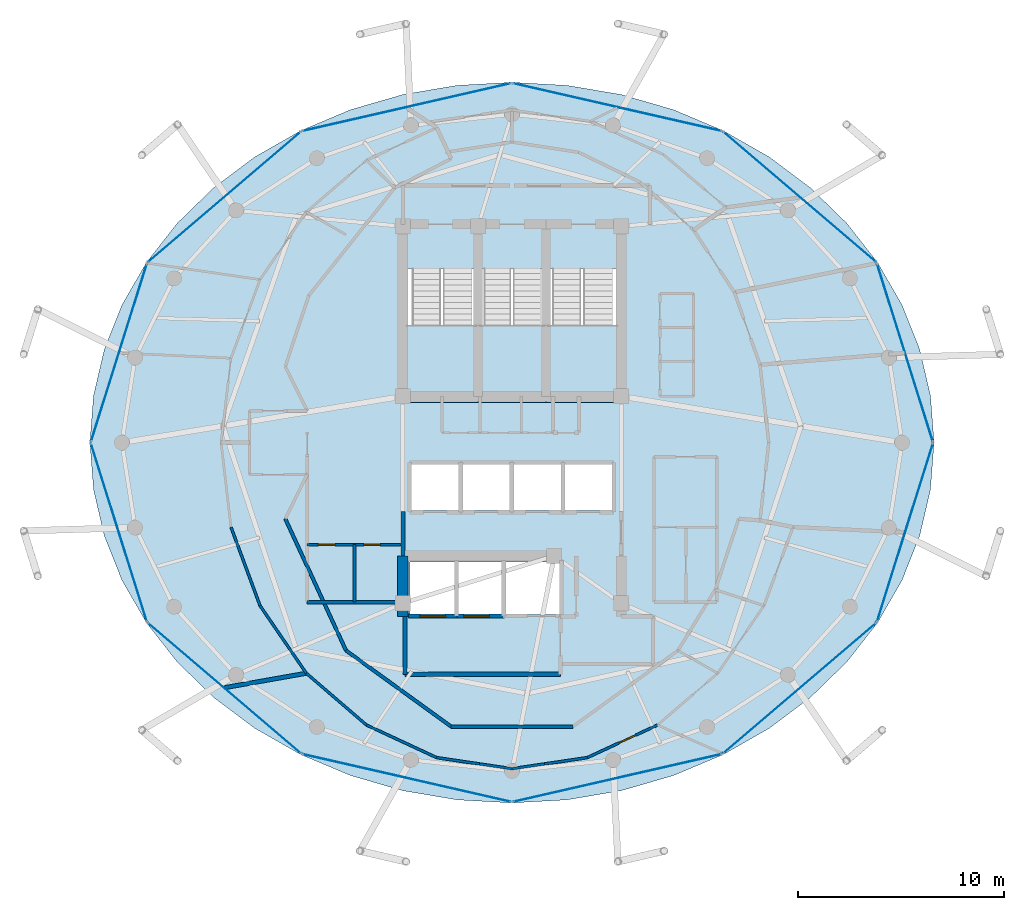
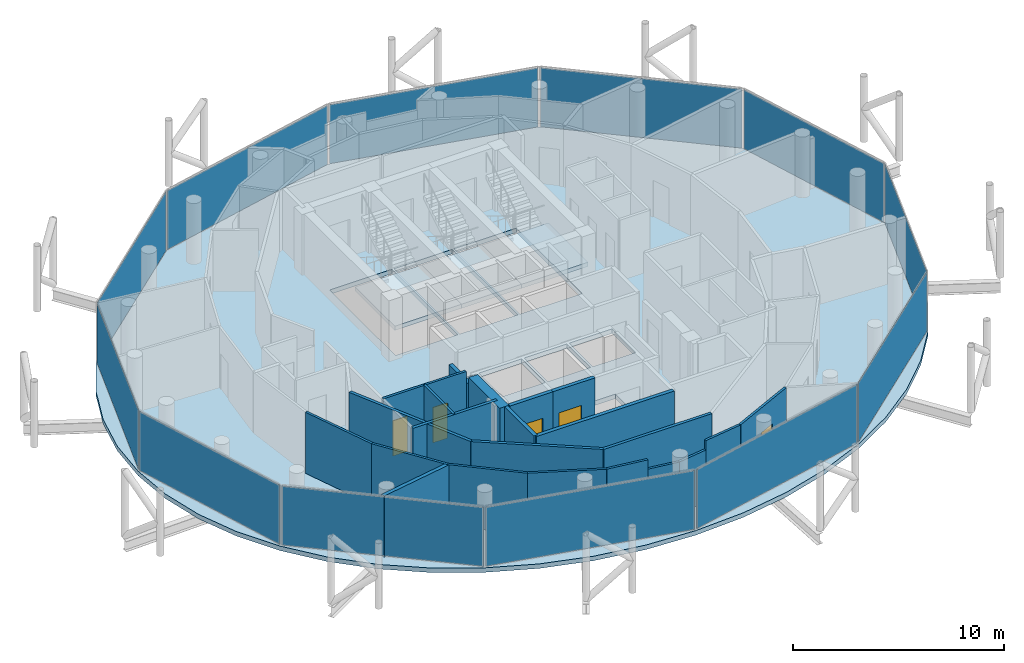
# One storey, part 19 of 24: 22 walls, 12 plates, 5 doors, 4 slabs, 5 openings, 15 elements without a shape of their own.
"""IFC4 building model written with IfcOpenShell, lengths in metres."""

from ifc_helpers import new_model, si_unit, direction, frame, frame_2d, origin, origin_2d, place, context, subcontext, project, spatial, polyline, rectangle, outline, extrude, material, layer, layer_set, type_object, element, fill, aggregate, save


model = new_model("IFC4")

# Units and contexts
model_context = context("Model", 3, precision=1e-05, world=origin(), true_north=direction((0.0, 1.0)))
body_context = subcontext(model_context, "Body", "Model", "MODEL_VIEW")
ifc_project = project(units=[si_unit("LENGTHUNIT", "METRE"), si_unit("AREAUNIT", "SQUARE_METRE"), si_unit("VOLUMEUNIT", "CUBIC_METRE"), si_unit("PLANEANGLEUNIT", "RADIAN"), si_unit("MASSUNIT", "GRAM", prefix="KILO")], contexts=[model_context])

# Site, building, storey
site_placement = place(None, origin())
site = spatial("IfcSite", under=ifc_project, at=site_placement, CompositionType="ELEMENT")
building_placement = place(site_placement, origin())
building = spatial("IfcBuilding", under=site, at=building_placement, Name="Nuhasar Tower", CompositionType="ELEMENT")
storey_placement = place(building_placement, frame((0.0, 0.0, 263.199951171875)))
storey = spatial("IfcBuildingStorey", under=building, at=storey_placement, Name="L65", CompositionType="ELEMENT", Elevation=263.199951171875)

# Curtain wall, plate
ifc_material_1 = material(Name="Aluminium 6063-T6", Category="aluminium")
ifc_layer_1 = layer(ifc_material_1, 0.18994140625)
ifc_layer_set_1 = layer_set([ifc_layer_1], Name="Aluminium 6063-T6")
curtain_wall_type = type_object("IfcCurtainWallType", Name="CW-Z4-PEN", PredefinedType="NOTDEFINED", material=ifc_layer_set_1)
curtain_wall_1_placement = place(storey_placement, origin())
curtain_wall_1 = element("IfcCurtainWall", 1, at=curtain_wall_1_placement, inside=storey, type_object=curtain_wall_type, Name="L65 Unitised Curtain Wall 01", PredefinedType="NOTDEFINED")
ifc_material_2 = material(Name="Glass Double Low-E", Category="glass")
ifc_layer_2 = layer(ifc_material_2, 0.028076171875)
ifc_layer_set_2 = layer_set([ifc_layer_2], Name="Glass Double Low-E")
plate_type = type_object("IfcPlateType", Name="CW-PANEL-GLZ", PredefinedType="CURTAIN_PANEL", material=ifc_layer_set_2)
plate_1_placement = place(storey_placement, frame((58.089599609375, 31.1650390625, 0.06005859375), z_axis=(0.0, 0.0, 1.0), x_axis=(-0.299556614146, 0.954078526601, 0.0)))
plate_1 = element("IfcPlate", 2, at=plate_1_placement, type_object=plate_type, Name="CW-Z4 panel 1.1", PredefinedType="CURTAIN_PANEL", context=body_context, shape_type="SweptSolid", body=[
    extrude(rectangle(XDim=9.0302734375, YDim=0.028076171875, at=origin_2d()), origin(), (0.0, 0.0, 1.0), 3.419921875),
])
aggregate(curtain_wall_1, [plate_1])

curtain_wall_2_placement = place(storey_placement, origin())
curtain_wall_2 = element("IfcCurtainWall", 3, at=curtain_wall_2_placement, inside=storey, type_object=curtain_wall_type, Name="L65 Unitised Curtain Wall 02", PredefinedType="NOTDEFINED")
plate_2_placement = place(storey_placement, frame((52.974609375, 38.7255859375, 0.06005859375), z_axis=(0.0, 0.0, 1.0), x_axis=(-0.760667252327, 0.649141996205, 0.0)))
plate_2 = element("IfcPlate", 4, at=plate_2_placement, type_object=plate_type, Name="CW-Z4 panel 1.1", PredefinedType="CURTAIN_PANEL", context=body_context, shape_type="SweptSolid", body=[
    extrude(rectangle(XDim=9.725341796875, YDim=0.028076171875, at=origin_2d()), origin(), (0.0, 0.0, 1.0), 3.419921875),
])
aggregate(curtain_wall_2, [plate_2])

curtain_wall_3_placement = place(storey_placement, origin())
curtain_wall_3 = element("IfcCurtainWall", 5, at=curtain_wall_3_placement, inside=storey, type_object=curtain_wall_type, Name="L65 Unitised Curtain Wall 03", PredefinedType="NOTDEFINED")
plate_3_placement = place(storey_placement, frame((44.114990234375, 43.090576171875, 0.06005859375), z_axis=(0.0, 0.0, 1.0), x_axis=(-0.97484371891, 0.222889487645, 0.0)))
plate_3 = element("IfcPlate", 6, at=plate_3_placement, type_object=plate_type, Name="CW-Z4 panel 1.1", PredefinedType="CURTAIN_PANEL", context=body_context, shape_type="SweptSolid", body=[
    extrude(rectangle(XDim=10.3740234375, YDim=0.028076171875, at=origin_2d()), origin(), (0.0, 0.0, 1.0), 3.419921875),
])
aggregate(curtain_wall_3, [plate_3])

curtain_wall_4_placement = place(storey_placement, origin())
curtain_wall_4 = element("IfcCurtainWall", 7, at=curtain_wall_4_placement, inside=storey, type_object=curtain_wall_type, Name="L65 Unitised Curtain Wall 04", PredefinedType="NOTDEFINED")
plate_4_placement = place(storey_placement, frame((33.885009765625, 43.090576171875, 0.06005859375), z_axis=(0.0, 0.0, 1.0), x_axis=(-0.97484371891, -0.222889487645, 0.0)))
plate_4 = element("IfcPlate", 8, at=plate_4_placement, type_object=plate_type, Name="CW-Z4 panel 1.1", PredefinedType="CURTAIN_PANEL", context=body_context, shape_type="SweptSolid", body=[
    extrude(rectangle(XDim=10.3740234375, YDim=0.028076171875, at=origin_2d()), origin(), (0.0, 0.0, 1.0), 3.419921875),
])
aggregate(curtain_wall_4, [plate_4])

curtain_wall_5_placement = place(storey_placement, origin())
curtain_wall_5 = element("IfcCurtainWall", 9, at=curtain_wall_5_placement, inside=storey, type_object=curtain_wall_type, Name="L65 Unitised Curtain Wall 05", PredefinedType="NOTDEFINED")
plate_5_placement = place(storey_placement, frame((25.025390625, 38.7255859375, 0.06005859375), z_axis=(0.0, 0.0, 1.0), x_axis=(-0.760667252327, -0.649141996205, 0.0)))
plate_5 = element("IfcPlate", 10, at=plate_5_placement, type_object=plate_type, Name="CW-Z4 panel 1.1", PredefinedType="CURTAIN_PANEL", context=body_context, shape_type="SweptSolid", body=[
    extrude(rectangle(XDim=9.725341796875, YDim=0.028076171875, at=origin_2d()), origin(), (0.0, 0.0, 1.0), 3.419921875),
])
aggregate(curtain_wall_5, [plate_5])

curtain_wall_6_placement = place(storey_placement, origin())
curtain_wall_6 = element("IfcCurtainWall", 11, at=curtain_wall_6_placement, inside=storey, type_object=curtain_wall_type, Name="L65 Unitised Curtain Wall 06", PredefinedType="NOTDEFINED")
plate_6_placement = place(storey_placement, frame((19.910400390625, 31.1650390625, 0.06005859375), z_axis=(0.0, 0.0, 1.0), x_axis=(-0.299556614146, -0.954078526601, 0.0)))
plate_6 = element("IfcPlate", 12, at=plate_6_placement, type_object=plate_type, Name="CW-Z4 panel 1.1", PredefinedType="CURTAIN_PANEL", context=body_context, shape_type="SweptSolid", body=[
    extrude(rectangle(XDim=9.0302734375, YDim=0.028076171875, at=origin_2d()), origin(), (0.0, 0.0, 1.0), 3.419921875),
])
aggregate(curtain_wall_6, [plate_6])

curtain_wall_7_placement = place(storey_placement, origin())
curtain_wall_7 = element("IfcCurtainWall", 13, at=curtain_wall_7_placement, inside=storey, type_object=curtain_wall_type, Name="L65 Unitised Curtain Wall 07", PredefinedType="NOTDEFINED")
plate_7_placement = place(storey_placement, frame((19.910400390625, 22.43505859375, 0.06005859375), z_axis=(0.0, 0.0, 1.0), x_axis=(0.299556614146, -0.954078526601, 0.0)))
plate_7 = element("IfcPlate", 14, at=plate_7_placement, type_object=plate_type, Name="CW-Z4 panel 1.1", PredefinedType="CURTAIN_PANEL", context=body_context, shape_type="SweptSolid", body=[
    extrude(rectangle(XDim=9.0302734375, YDim=0.028076171875, at=origin_2d()), origin(), (0.0, 0.0, 1.0), 3.419921875),
])
aggregate(curtain_wall_7, [plate_7])

curtain_wall_8_placement = place(storey_placement, origin())
curtain_wall_8 = element("IfcCurtainWall", 15, at=curtain_wall_8_placement, inside=storey, type_object=curtain_wall_type, Name="L65 Unitised Curtain Wall 08", PredefinedType="NOTDEFINED")
plate_8_placement = place(storey_placement, frame((25.025390625, 14.87451171875, 0.06005859375), z_axis=(0.0, 0.0, 1.0), x_axis=(0.760667252327, -0.649141996205, 0.0)))
plate_8 = element("IfcPlate", 16, at=plate_8_placement, type_object=plate_type, Name="CW-Z4 panel 1.1", PredefinedType="CURTAIN_PANEL", context=body_context, shape_type="SweptSolid", body=[
    extrude(rectangle(XDim=9.725341796875, YDim=0.028076171875, at=origin_2d()), origin(), (0.0, 0.0, 1.0), 3.419921875),
])
aggregate(curtain_wall_8, [plate_8])

curtain_wall_9_placement = place(storey_placement, origin())
curtain_wall_9 = element("IfcCurtainWall", 17, at=curtain_wall_9_placement, inside=storey, type_object=curtain_wall_type, Name="L65 Unitised Curtain Wall 09", PredefinedType="NOTDEFINED")
plate_9_placement = place(storey_placement, frame((33.885009765625, 10.509521484375, 0.06005859375), z_axis=(0.0, 0.0, 1.0), x_axis=(0.97484371891, -0.222889487645, 0.0)))
plate_9 = element("IfcPlate", 18, at=plate_9_placement, type_object=plate_type, Name="CW-Z4 panel 1.1", PredefinedType="CURTAIN_PANEL", context=body_context, shape_type="SweptSolid", body=[
    extrude(rectangle(XDim=10.3740234375, YDim=0.028076171875, at=origin_2d()), origin(), (0.0, 0.0, 1.0), 3.419921875),
])
aggregate(curtain_wall_9, [plate_9])

curtain_wall_10_placement = place(storey_placement, origin())
curtain_wall_10 = element("IfcCurtainWall", 19, at=curtain_wall_10_placement, inside=storey, type_object=curtain_wall_type, Name="L65 Unitised Curtain Wall 10", PredefinedType="NOTDEFINED")
plate_10_placement = place(storey_placement, frame((44.114990234375, 10.509521484375, 0.06005859375), z_axis=(0.0, 0.0, 1.0), x_axis=(0.97484371891, 0.222889487645, 0.0)))
plate_10 = element("IfcPlate", 20, at=plate_10_placement, type_object=plate_type, Name="CW-Z4 panel 1.1", PredefinedType="CURTAIN_PANEL", context=body_context, shape_type="SweptSolid", body=[
    extrude(rectangle(XDim=10.3740234375, YDim=0.028076171875, at=origin_2d()), origin(), (0.0, 0.0, 1.0), 3.419921875),
])
aggregate(curtain_wall_10, [plate_10])

curtain_wall_11_placement = place(storey_placement, origin())
curtain_wall_11 = element("IfcCurtainWall", 21, at=curtain_wall_11_placement, inside=storey, type_object=curtain_wall_type, Name="L65 Unitised Curtain Wall 11", PredefinedType="NOTDEFINED")
plate_11_placement = place(storey_placement, frame((52.974609375, 14.87451171875, 0.06005859375), z_axis=(0.0, 0.0, 1.0), x_axis=(0.760667252327, 0.649141996205, 0.0)))
plate_11 = element("IfcPlate", 22, at=plate_11_placement, type_object=plate_type, Name="CW-Z4 panel 1.1", PredefinedType="CURTAIN_PANEL", context=body_context, shape_type="SweptSolid", body=[
    extrude(rectangle(XDim=9.725341796875, YDim=0.028076171875, at=origin_2d()), origin(), (0.0, 0.0, 1.0), 3.419921875),
])
aggregate(curtain_wall_11, [plate_11])

curtain_wall_12_placement = place(storey_placement, origin())
curtain_wall_12 = element("IfcCurtainWall", 23, at=curtain_wall_12_placement, inside=storey, type_object=curtain_wall_type, Name="L65 Unitised Curtain Wall 12", PredefinedType="NOTDEFINED")
plate_12_placement = place(storey_placement, frame((58.089599609375, 22.43505859375, 0.06005859375), z_axis=(0.0, 0.0, 1.0), x_axis=(0.299556614146, 0.954078526601, 0.0)))
plate_12 = element("IfcPlate", 24, at=plate_12_placement, type_object=plate_type, Name="CW-Z4 panel 1.1", PredefinedType="CURTAIN_PANEL", context=body_context, shape_type="SweptSolid", body=[
    extrude(rectangle(XDim=9.0302734375, YDim=0.028076171875, at=origin_2d()), origin(), (0.0, 0.0, 1.0), 3.419921875),
])
aggregate(curtain_wall_12, [plate_12])

# Stair, slab
ifc_material_3 = material(Name="Concrete C45/55", Category="concrete")
stair_type_1 = type_object("IfcStairType", Name="STR-ST-01-2F-22R-1727", PredefinedType="HALF_TURN_STAIR", material=ifc_material_3)
stair_1_placement = place(storey_placement, origin())
stair_1 = element("IfcStair", 25, at=stair_1_placement, inside=storey, type_object=stair_type_1, Name="L65 Exit Stair ST-01", PredefinedType="HALF_TURN_STAIR")
ifc_layer_3 = layer(ifc_material_3, 0.239990234375)
ifc_layer_set_3 = layer_set([ifc_layer_3], Name="Concrete C45/55")
slab_type_1 = type_object("IfcSlabType", Name="SLB-STAIR-LND-240", PredefinedType="LANDING", material=ifc_layer_set_3)
slab_1_placement = place(storey_placement, frame((0.0, 0.0, 1.66015625)))
slab_1 = element("IfcSlab", 26, at=slab_1_placement, type_object=slab_type_1, Name="ST-01 landing 1", PredefinedType="LANDING", context=body_context, shape_type="SweptSolid", body=[
    extrude(outline(polyline([(33.699951171875, 28.75), (37.35009765625, 28.75), (37.35009765625, 32.52001953125), (33.699951171875, 32.52001953125), (33.699951171875, 28.75)])), origin(), (0.0, 0.0, 1.0), 0.239990234375),
])
aggregate(stair_1, [slab_1])

stair_type_2 = type_object("IfcStairType", Name="STR-ST-03-2F-22R-1727", PredefinedType="HALF_TURN_STAIR", material=ifc_material_3)
stair_2_placement = place(storey_placement, origin())
stair_2 = element("IfcStair", 27, at=stair_2_placement, inside=storey, type_object=stair_type_2, Name="L65 Exit Stair ST-03", PredefinedType="HALF_TURN_STAIR")
slab_2_placement = place(storey_placement, frame((0.0, 0.0, 1.66015625)))
slab_2 = element("IfcSlab", 28, at=slab_2_placement, type_object=slab_type_1, Name="ST-03 landing 1", PredefinedType="LANDING", context=body_context, shape_type="SweptSolid", body=[
    extrude(outline(polyline([(37.35009765625, 28.75), (40.64990234375, 28.75), (40.64990234375, 32.52001953125), (37.35009765625, 32.52001953125), (37.35009765625, 28.75)])), origin(), (0.0, 0.0, 1.0), 0.239990234375),
])
aggregate(stair_2, [slab_2])

stair_type_3 = type_object("IfcStairType", Name="STR-ST-02-2F-22R-1727", PredefinedType="HALF_TURN_STAIR", material=ifc_material_3)
stair_3_placement = place(storey_placement, origin())
stair_3 = element("IfcStair", 29, at=stair_3_placement, inside=storey, type_object=stair_type_3, Name="L65 Exit Stair ST-02", PredefinedType="HALF_TURN_STAIR")
slab_3_placement = place(storey_placement, frame((0.0, 0.0, 1.66015625)))
slab_3 = element("IfcSlab", 30, at=slab_3_placement, type_object=slab_type_1, Name="ST-02 landing 1", PredefinedType="LANDING", context=body_context, shape_type="SweptSolid", body=[
    extrude(outline(polyline([(40.64990234375, 28.75), (44.300048828125, 28.75), (44.300048828125, 32.52001953125), (40.64990234375, 32.52001953125), (40.64990234375, 28.75)])), origin(), (0.0, 0.0, 1.0), 0.239990234375),
])
aggregate(stair_3, [slab_3])

# Slab
ifc_material_4 = material(Name="Concrete C50/60", Category="concrete")
ifc_layer_4 = layer(ifc_material_4, 0.260009765625)
ifc_layer_set_4 = layer_set([ifc_layer_4], Name="Concrete C50/60")
slab_type_2 = type_object("IfcSlabType", Name="SLB-Z1A-260", PredefinedType="FLOOR", material=ifc_layer_set_4)
slab_4_placement = place(storey_placement, frame((0.0, 0.0, -0.260009765625)))
element("IfcSlab", 31, at=slab_4_placement, inside=storey, type_object=slab_type_2, Name="L65 Structural Slab", PredefinedType="FLOOR", context=body_context, shape_type="SweptSolid", body=[
    extrude(outline(polyline([(59.5, 26.800048828125), (59.324951171875, 29.083984375), (58.801025390625, 31.3291015625), (57.93994140625, 33.4970703125), (56.75390625, 35.550048828125), (55.263916015625, 37.452880859375), (53.49609375, 39.174072265625), (51.47998046875, 40.68408203125), (49.25, 41.955078125), (46.844970703125, 42.968017578125), (44.305908203125, 43.7041015625), (41.676025390625, 44.14990234375), (39.0, 44.300048828125), (36.323974609375, 44.14990234375), (33.694091796875, 43.7041015625), (31.155029296875, 42.968017578125), (28.75, 41.955078125), (26.52001953125, 40.68408203125), (24.50390625, 39.174072265625), (22.736083984375, 37.452880859375), (21.24609375, 35.550048828125), (20.06005859375, 33.4970703125), (19.198974609375, 31.3291015625), (18.675048828125, 29.083984375), (18.5, 26.800048828125), (18.675048828125, 24.51611328125), (19.198974609375, 22.27099609375), (20.06005859375, 20.10302734375), (21.24609375, 18.050048828125), (22.736083984375, 16.14697265625), (24.50390625, 14.426025390625), (26.52001953125, 12.916015625), (28.75, 11.64501953125), (31.155029296875, 10.632080078125), (33.694091796875, 9.89599609375), (36.323974609375, 9.449951171875), (39.0, 9.300048828125), (41.676025390625, 9.449951171875), (44.305908203125, 9.89599609375), (46.844970703125, 10.632080078125), (49.25, 11.64501953125), (51.47998046875, 12.916015625), (53.49609375, 14.426025390625), (55.263916015625, 16.14697265625), (56.75390625, 18.050048828125), (57.93994140625, 20.10302734375), (58.801025390625, 22.27099609375), (59.324951171875, 24.51611328125), (59.5, 26.800048828125)]), holes=[polyline([(33.8798828125, 35.25), (37.300048828125, 35.25), (37.300048828125, 29.0), (33.8798828125, 29.0), (33.8798828125, 35.25)]), polyline([(37.39990234375, 35.25), (40.60009765625, 35.25), (40.60009765625, 29.0), (37.39990234375, 29.0), (37.39990234375, 35.25)]), polyline([(40.699951171875, 35.25), (44.1201171875, 35.25), (44.1201171875, 29.0), (40.699951171875, 29.0), (40.699951171875, 35.25)]), polyline([(34.10009765625, 25.75), (36.43994140625, 25.75), (36.43994140625, 23.5), (34.10009765625, 23.5), (34.10009765625, 25.75)]), polyline([(36.580078125, 25.75), (38.919921875, 25.75), (38.919921875, 23.5), (36.580078125, 23.5), (36.580078125, 25.75)]), polyline([(39.06005859375, 25.75), (41.39990234375, 25.75), (41.39990234375, 23.5), (39.06005859375, 23.5), (39.06005859375, 25.75)]), polyline([(41.5400390625, 25.75), (43.8798828125, 25.75), (43.8798828125, 23.5), (41.5400390625, 23.5), (41.5400390625, 25.75)]), polyline([(34.050048828125, 21.0), (36.25, 21.0), (36.25, 18.449951171875), (34.050048828125, 18.449951171875), (34.050048828125, 21.0)]), polyline([(36.35009765625, 21.0), (38.550048828125, 21.0), (38.550048828125, 18.449951171875), (36.35009765625, 18.449951171875), (36.35009765625, 21.0)]), polyline([(38.64990234375, 21.0), (41.320068359375, 21.0), (41.320068359375, 18.449951171875), (38.64990234375, 18.449951171875), (38.64990234375, 21.0)])]), origin(), (0.0, 0.0, 1.0), 0.260009765625),
])

# Walls
ifc_layer_5 = layer(ifc_material_4, 0.5)
ifc_layer_set_5 = layer_set([ifc_layer_5], Name="Concrete C50/60")
wall_type_1 = type_object("IfcWallType", Name="WL-CORE-500", PredefinedType="SHEAR", material=ifc_layer_set_5)
wall_1_placement = place(storey_placement, frame((33.699951171875, 18.35009765625, 0.0), z_axis=(0.0, 0.0, 1.0), x_axis=(0.0, 1.0, 0.0)))
element("IfcWall", 32, at=wall_1_placement, inside=storey, type_object=wall_type_1, Name="L65 Core Shear Wall CW-SW CW-500", PredefinedType="SHEAR", context=body_context, shape_type="SweptSolid", body=[
    extrude(rectangle(XDim=2.949951171875, YDim=0.5, at=frame_2d((1.47509765625, 0.0))), origin(), (0.0, 0.0, 1.0), 3.5400390625),
])
ifc_material_5 = material(Name="Gypsum Board", Category="gypsum")
ifc_layer_6 = layer(ifc_material_5, 0.159912109375)
ifc_layer_set_6 = layer_set([ifc_layer_6], Name="Gypsum Board")
wall_type_2 = type_object("IfcWallType", Name="WL-CORR-160", PredefinedType="PARTITIONING", material=ifc_layer_set_6)
wall_2_placement = place(storey_placement, frame((29.050048828125, 19.050048828125, 0.0), z_axis=(0.0, 0.0, 1.0), x_axis=(1.0, 0.0, 0.0)))
element("IfcWall", 33, at=wall_2_placement, inside=storey, type_object=wall_type_2, Name="L65 Interior Partition RECL-B1-S", PredefinedType="PARTITIONING", context=body_context, shape_type="SweptSolid", body=[
    extrude(rectangle(XDim=4.64990234375, YDim=0.159912109375, at=frame_2d((2.324951171875, 0.0))), origin(), (0.0, 0.0, 1.0), 3.5400390625),
])
wall_3_placement = place(storey_placement, frame((27.988037109375, 23.10400390625, 0.0), z_axis=(0.0, 0.0, 1.0), x_axis=(0.418656179426, -0.908144814128, 0.0)))
element("IfcWall", 34, at=wall_3_placement, inside=storey, type_object=wall_type_2, Name="L65 Interior Partition UWEST-CORE-S1-26", PredefinedType="PARTITIONING", context=body_context, shape_type="SweptSolid", body=[
    extrude(rectangle(XDim=7.048583984375, YDim=0.159912109375, at=frame_2d((3.5244140625, 0.0))), origin(), (0.0, 0.0, 1.0), 3.5400390625),
])
wall_4_placement = place(storey_placement, frame((30.93896484375, 16.702880859375, 0.0), z_axis=(0.0, 0.0, 1.0), x_axis=(0.810290119061, -0.586028943784, 0.0)))
element("IfcWall", 35, at=wall_4_placement, inside=storey, type_object=wall_type_2, Name="L65 Interior Partition UWEST-CORE-S1-30", PredefinedType="PARTITIONING", context=body_context, shape_type="SweptSolid", body=[
    extrude(rectangle(XDim=6.306396484375, YDim=0.159912109375, at=frame_2d((3.1533203125, 0.0))), origin(), (0.0, 0.0, 1.0), 3.5400390625),
])
wall_5_placement = place(storey_placement, frame((36.049072265625, 13.007080078125, 0.0), z_axis=(0.0, 0.0, 1.0), x_axis=(1.0, 0.0, 0.0)))
element("IfcWall", 36, at=wall_5_placement, inside=storey, type_object=wall_type_2, Name="L65 Interior Partition UWEST-CORE-S1-34", PredefinedType="PARTITIONING", context=body_context, shape_type="SweptSolid", body=[
    extrude(rectangle(XDim=5.90185546875, YDim=0.159912109375, at=frame_2d((2.950927734375, 0.0))), origin(), (0.0, 0.0, 1.0), 3.5400390625),
])
ifc_layer_7 = layer(ifc_material_3, 0.199951171875)
ifc_layer_set_7 = layer_set([ifc_layer_7], Name="Concrete C45/55")
wall_type_3 = type_object("IfcWallType", Name="WL-LOBBY-200", PredefinedType="SOLIDWALL", material=ifc_layer_set_7)
wall_6_placement = place(storey_placement, frame((33.699951171875, 21.300048828125, 0.0), z_axis=(0.0, 0.0, 1.0), x_axis=(0.0, 1.0, 0.0)))
element("IfcWall", 37, at=wall_6_placement, inside=storey, type_object=wall_type_3, Name="L65 Interior Partition LLBH-W", PredefinedType="SOLIDWALL", context=body_context, shape_type="SweptSolid", body=[
    extrude(rectangle(XDim=2.14990234375, YDim=0.199951171875, at=frame_2d((1.074951171875, 0.0))), origin(), (0.0, 0.0, 1.0), 2.925048828125),
])
wall_7_placement = place(storey_placement, frame((33.800048828125, 15.550048828125, 0.0), z_axis=(0.0, 0.0, 1.0), x_axis=(1.0, 0.0, 0.0)))
element("IfcWall", 38, at=wall_7_placement, inside=storey, type_object=wall_type_3, Name="L65 Interior Partition FFL-S", PredefinedType="SOLIDWALL", context=body_context, shape_type="SweptSolid", body=[
    extrude(rectangle(XDim=7.550048828125, YDim=0.199951171875, at=frame_2d((3.77490234375, 0.0))), origin(), (0.0, 0.0, 1.0), 3.5400390625),
])
wall_8_placement = place(storey_placement, frame((33.800048828125, 15.550048828125, 0.0), z_axis=(0.0, 0.0, 1.0), x_axis=(0.0, 1.0, 0.0)))
element("IfcWall", 39, at=wall_8_placement, inside=storey, type_object=wall_type_3, Name="L65 Interior Partition FFL-W", PredefinedType="SOLIDWALL", context=body_context, shape_type="SweptSolid", body=[
    extrude(rectangle(XDim=2.800048828125, YDim=0.199951171875, at=frame_2d((1.39990234375, 0.0))), origin(), (0.0, 0.0, 1.0), 3.5400390625),
])

# Wall, openings, doors
ifc_layer_8 = layer(ifc_material_5, 0.125)
ifc_layer_set_8 = layer_set([ifc_layer_8], Name="Gypsum Board")
wall_type_4 = type_object("IfcWallType", Name="WL-PART-125", PredefinedType="PARTITIONING", material=ifc_layer_set_8)
wall_9_placement = place(storey_placement, frame((33.60009765625, 21.85009765625, 0.0), z_axis=(0.0, 0.0, 1.0), x_axis=(-1.0, 0.0, 0.0)))
wall_9 = element("IfcWall", 40, at=wall_9_placement, inside=storey, type_object=wall_type_4, Name="L65 Interior Partition HKPK1-N", PredefinedType="PARTITIONING", context=body_context, shape_type="SweptSolid", body=[
    extrude(rectangle(XDim=4.550048828125, YDim=0.125, at=frame_2d((2.27490234375, 0.0))), origin(), (0.0, 0.0, 1.0), 3.5400390625),
])
opening_1_placement = place(wall_9_placement, frame((3.199951171875, 0.0, 0.0)))
opening_1 = element("IfcOpeningElement", 41, at=opening_1_placement, cuts=wall_9, Name="Opening DM-01", PredefinedType="OPENING", context=body_context, shape_type="SweptSolid", body=[
    extrude(rectangle(XDim=0.800048828125, YDim=2.050048828125, at=frame_2d((0.39990234375, 1.02490234375))), frame((0.0, 0.072509765625, 0.0), z_axis=(0.0, -1.0, 0.0), x_axis=(1.0, 0.0, 0.0)), (0.0, 0.0, 1.0), 0.14501953125),
])
opening_2_placement = place(wall_9_placement, frame((1.0, 0.0, 0.0)))
opening_2 = element("IfcOpeningElement", 42, at=opening_2_placement, cuts=wall_9, Name="Opening DM-01", PredefinedType="OPENING", context=body_context, shape_type="SweptSolid", body=[
    extrude(rectangle(XDim=0.800048828125, YDim=2.050048828125, at=frame_2d((0.39990234375, 1.02490234375))), frame((0.0, 0.072509765625, 0.0), z_axis=(0.0, -1.0, 0.0), x_axis=(1.0, 0.0, 0.0)), (0.0, 0.0, 1.0), 0.14501953125),
])
ifc_material_6 = material(Name="Steel S355", Category="steel")
door_type_1 = type_object("IfcDoorType", Name="DR-RISER-FD60-800", OperationType="NOTDEFINED", PredefinedType="DOOR", material=ifc_material_6)
door_1_placement = place(opening_1_placement, origin())
door_1 = element("IfcDoor", 43, at=door_1_placement, inside=storey, type_object=door_type_1, Name="L65 Housekeeping Closet Door", OperationType="SINGLE_SWING_RIGHT", OverallHeight=2.050048828125, OverallWidth=0.800048828125, PredefinedType="DOOR", context=body_context, shape_type="SweptSolid", body=[
    extrude(rectangle(XDim=0.800048828125, YDim=2.050048828125, at=frame_2d((0.39990234375, 1.02490234375))), frame((0.0, 0.02490234375, 0.0), z_axis=(0.0, -1.0, 0.0), x_axis=(1.0, 0.0, 0.0)), (0.0, 0.0, 1.0), 0.050048828125),
])
fill(opening_1, door_1)
door_2_placement = place(opening_2_placement, origin())
door_2 = element("IfcDoor", 44, at=door_2_placement, inside=storey, type_object=door_type_1, Name="L65 Linen Store Door", OperationType="SINGLE_SWING_LEFT", OverallHeight=2.050048828125, OverallWidth=0.800048828125, PredefinedType="DOOR", context=body_context, shape_type="SweptSolid", body=[
    extrude(rectangle(XDim=0.800048828125, YDim=2.050048828125, at=frame_2d((0.39990234375, 1.02490234375))), frame((0.0, 0.02490234375, 0.0), z_axis=(0.0, -1.0, 0.0), x_axis=(1.0, 0.0, 0.0)), (0.0, 0.0, 1.0), 0.050048828125),
])
fill(opening_2, door_2)

# Walls
wall_10_placement = place(storey_placement, frame((31.35009765625, 19.050048828125, 0.0), z_axis=(0.0, 0.0, 1.0), x_axis=(0.0, 1.0, 0.0)))
element("IfcWall", 45, at=wall_10_placement, inside=storey, type_object=wall_type_4, Name="L65 Interior Partition HKPK1-V", PredefinedType="PARTITIONING", context=body_context, shape_type="SweptSolid", body=[
    extrude(rectangle(XDim=2.800048828125, YDim=0.125, at=frame_2d((1.39990234375, 0.0))), origin(), (0.0, 0.0, 1.0), 3.5400390625),
])
wall_11_placement = place(storey_placement, frame((25.35107421875, 22.699951171875, 0.0), z_axis=(0.0, 0.0, 1.0), x_axis=(0.346671925992, -0.937986447519, 0.0)))
element("IfcWall", 46, at=wall_11_placement, inside=storey, type_object=wall_type_4, Name="L65 Interior Partition USM-1-D-26", PredefinedType="PARTITIONING", context=body_context, shape_type="SweptSolid", body=[
    extrude(rectangle(XDim=4.072509765625, YDim=0.125, at=frame_2d((2.0361328125, 0.0))), origin(), (0.0, 0.0, 1.0), 3.5400390625),
])
wall_12_placement = place(storey_placement, frame((26.762939453125, 18.8798828125, 0.0), z_axis=(0.0, 0.0, 1.0), x_axis=(0.5649172284, -0.825147577744, 0.0)))
element("IfcWall", 47, at=wall_12_placement, inside=storey, type_object=wall_type_4, Name="L65 Interior Partition USM-1-D-28", PredefinedType="PARTITIONING", context=body_context, shape_type="SweptSolid", body=[
    extrude(rectangle(XDim=3.97607421875, YDim=0.125, at=frame_2d((1.988037109375, 0.0))), origin(), (0.0, 0.0, 1.0), 3.5400390625),
])
wall_13_placement = place(storey_placement, frame((29.009033203125, 15.59912109375, 0.0), z_axis=(0.0, 0.0, 1.0), x_axis=(0.758094504626, -0.652144709444, 0.0)))
element("IfcWall", 48, at=wall_13_placement, inside=storey, type_object=wall_type_4, Name="L65 Interior Partition USM-2-D-30", PredefinedType="PARTITIONING", context=body_context, shape_type="SweptSolid", body=[
    extrude(rectangle(XDim=3.859619140625, YDim=0.125, at=frame_2d((1.9296875, 0.0))), origin(), (0.0, 0.0, 1.0), 3.5400390625),
])
wall_14_placement = place(storey_placement, frame((31.93505859375, 13.08203125, 0.0), z_axis=(0.0, 0.0, 1.0), x_axis=(0.907032898502, -0.421059759459, 0.0)))
element("IfcWall", 49, at=wall_14_placement, inside=storey, type_object=wall_type_4, Name="L65 Interior Partition USM-2-D-32", PredefinedType="PARTITIONING", context=body_context, shape_type="SweptSolid", body=[
    extrude(rectangle(XDim=3.75732421875, YDim=0.125, at=frame_2d((1.878662109375, 0.0))), origin(), (0.0, 0.0, 1.0), 3.5400390625),
])
wall_15_placement = place(storey_placement, frame((35.343017578125, 11.5, 0.0), z_axis=(0.0, 0.0, 1.0), x_axis=(0.989306339285, -0.145852552432, 0.0)))
element("IfcWall", 50, at=wall_15_placement, inside=storey, type_object=wall_type_4, Name="L65 Interior Partition USM-2-D-34", PredefinedType="PARTITIONING", context=body_context, shape_type="SweptSolid", body=[
    extrude(rectangle(XDim=2.097412109375, YDim=0.125, at=frame_2d((1.048828125, 0.0))), origin(), (0.0, 0.0, 1.0), 3.5400390625),
])
for number, where, z_axis, x_axis, name in (
    (51, (37.41796875, 11.194091796875, 0.0), (0.0, 0.0, 1.0), (0.989225581401, -0.146399279717, 0.0), "L65 Interior Partition USM-2-D-34"),
    (52, (39.0, 10.9599609375, 0.0), (0.0, 0.0, 1.0), (0.989225581401, 0.146399279717, 0.0), "L65 Interior Partition USM-2-D-36"),
):
    element("IfcWall", number, at=place(storey_placement, frame(where, z_axis=z_axis, x_axis=x_axis)), inside=storey, type_object=wall_type_4, Name=name, PredefinedType="PARTITIONING", context=body_context, shape_type="SweptSolid", body=[
        extrude(rectangle(XDim=1.599365234375, YDim=0.125, at=frame_2d((0.7998046875, 0.0))), origin(), (0.0, 0.0, 1.0), 3.0),
    ])
wall_16_placement = place(storey_placement, frame((40.58203125, 11.194091796875, 0.0), z_axis=(0.0, 0.0, 1.0), x_axis=(0.989306339285, 0.145852552432, 0.0)))
element("IfcWall", 53, at=wall_16_placement, inside=storey, type_object=wall_type_4, Name="L65 Interior Partition USM-2-D-36", PredefinedType="PARTITIONING", context=body_context, shape_type="SweptSolid", body=[
    extrude(rectangle(XDim=2.097412109375, YDim=0.125, at=frame_2d((1.048828125, 0.0))), origin(), (0.0, 0.0, 1.0), 3.5400390625),
])

# Wall, opening, door
wall_17_placement = place(storey_placement, frame((46.06494140625, 13.08203125, 0.0), z_axis=(0.0, 0.0, 1.0), x_axis=(-0.907032898502, -0.421059759459, 0.0)))
wall_17 = element("IfcWall", 54, at=wall_17_placement, inside=storey, type_object=wall_type_4, Name="L65 Interior Partition USM-2-D-38", PredefinedType="PARTITIONING", context=body_context, shape_type="SweptSolid", body=[
    extrude(rectangle(XDim=3.75732421875, YDim=0.125, at=frame_2d((1.878662109375, 0.0))), origin(), (0.0, 0.0, 1.0), 3.5400390625),
])
opening_3_placement = place(wall_17_placement, frame((1.153076171875, 0.0, 0.0)))
opening_3 = element("IfcOpeningElement", 55, at=opening_3_placement, cuts=wall_17, Name="Opening DR-01", PredefinedType="OPENING", context=body_context, shape_type="SweptSolid", body=[
    extrude(rectangle(XDim=0.89990234375, YDim=2.10009765625, at=frame_2d((0.449951171875, 1.050048828125))), frame((0.0, 0.072509765625, 0.0), z_axis=(0.0, -1.0, 0.0), x_axis=(1.0, 0.0, 0.0)), (0.0, 0.0, 1.0), 0.14501953125),
])
ifc_material_7 = material(Name="Timber Oak", Category="wood")
door_type_2 = type_object("IfcDoorType", Name="DR-ROOM-900", OperationType="NOTDEFINED", PredefinedType="DOOR", material=ifc_material_7)
door_3_placement = place(opening_3_placement, origin())
door_3 = element("IfcDoor", 56, at=door_3_placement, inside=storey, type_object=door_type_2, Name="L65 South-West Sky Home Living Door", OperationType="SINGLE_SWING_LEFT", OverallHeight=2.10009765625, OverallWidth=0.89990234375, PredefinedType="DOOR", context=body_context, shape_type="SweptSolid", body=[
    extrude(rectangle(XDim=0.89990234375, YDim=2.10009765625, at=frame_2d((0.449951171875, 1.050048828125))), frame((0.0, 0.02490234375, 0.0), z_axis=(0.0, -1.0, 0.0), x_axis=(1.0, 0.0, 0.0)), (0.0, 0.0, 1.0), 0.050048828125),
])
fill(opening_3, door_3)

ifc_layer_9 = layer(ifc_material_3, 0.199951171875)
ifc_layer_set_9 = layer_set([ifc_layer_9], Name="Concrete C45/55")
wall_type_5 = type_object("IfcWallType", Name="WL-SHAFT-200", PredefinedType="SOLIDWALL", material=ifc_layer_set_9)
wall_18_placement = place(storey_placement, frame((33.969970703125, 18.3701171875, 0.0), z_axis=(0.0, 0.0, 1.0), x_axis=(1.0, 0.0, 0.0)))
wall_18 = element("IfcWall", 57, at=wall_18_placement, inside=storey, type_object=wall_type_5, Name="L65 Interior Partition SHF-FFL-01-S", PredefinedType="SOLIDWALL", context=body_context, shape_type="SweptSolid", body=[
    extrude(rectangle(XDim=2.360107421875, YDim=0.199951171875, at=frame_2d((1.18017578125, 0.0))), origin(), (0.0, 0.0, 1.0), 3.5400390625),
])
opening_4_placement = place(wall_18_placement, frame((0.554931640625, 0.0, 0.0)))
opening_4 = element("IfcOpeningElement", 58, at=opening_4_placement, cuts=wall_18, Name="Opening LD-F01", PredefinedType="OPENING", context=body_context, shape_type="SweptSolid", body=[
    extrude(rectangle(XDim=1.25, YDim=2.199951171875, at=frame_2d((0.625, 1.10009765625))), frame((0.0, 0.10986328125, 0.0), z_axis=(0.0, -1.0, 0.0), x_axis=(1.0, 0.0, 0.0)), (0.0, 0.0, 1.0), 0.219970703125),
])
ifc_material_8 = material(Name="Stainless Steel 316L", Category="steel")
door_type_3 = type_object("IfcDoorType", Name="LD-FFL-1250", OperationType="DOUBLE_DOOR_SLIDING", PredefinedType="DOOR", material=ifc_material_8)
door_4_placement = place(opening_4_placement, origin())
door_4 = element("IfcDoor", 59, at=door_4_placement, inside=storey, type_object=door_type_3, Name="L65 Lift Landing Door FFL-01", OperationType="DOUBLE_DOOR_SLIDING", OverallHeight=2.199951171875, OverallWidth=1.25, PredefinedType="DOOR", context=body_context, shape_type="SweptSolid", body=[
    extrude(rectangle(XDim=1.25, YDim=2.199951171875, at=frame_2d((0.625, 1.10009765625))), frame((0.0, 0.02490234375, 0.0), z_axis=(0.0, -1.0, 0.0), x_axis=(1.0, 0.0, 0.0)), (0.0, 0.0, 1.0), 0.050048828125),
])
fill(opening_4, door_4)

wall_19_placement = place(storey_placement, frame((36.27001953125, 18.3701171875, 0.0), z_axis=(0.0, 0.0, 1.0), x_axis=(1.0, 0.0, 0.0)))
wall_19 = element("IfcWall", 60, at=wall_19_placement, inside=storey, type_object=wall_type_5, Name="L65 Interior Partition SHF-FFL-02-S", PredefinedType="SOLIDWALL", context=body_context, shape_type="SweptSolid", body=[
    extrude(rectangle(XDim=2.35986328125, YDim=0.199951171875, at=frame_2d((1.179931640625, 0.0))), origin(), (0.0, 0.0, 1.0), 3.5400390625),
])
opening_5_placement = place(wall_19_placement, frame((0.3798828125, 0.0, 0.0)))
opening_5 = element("IfcOpeningElement", 61, at=opening_5_placement, cuts=wall_19, Name="Opening LD-F02", PredefinedType="OPENING", context=body_context, shape_type="SweptSolid", body=[
    extrude(rectangle(XDim=1.25, YDim=2.199951171875, at=frame_2d((0.625, 1.10009765625))), frame((0.0, 0.10986328125, 0.0), z_axis=(0.0, -1.0, 0.0), x_axis=(1.0, 0.0, 0.0)), (0.0, 0.0, 1.0), 0.219970703125),
])
door_5_placement = place(opening_5_placement, origin())
door_5 = element("IfcDoor", 62, at=door_5_placement, inside=storey, type_object=door_type_3, Name="L65 Lift Landing Door FFL-02", OperationType="DOUBLE_DOOR_SLIDING", OverallHeight=2.199951171875, OverallWidth=1.25, PredefinedType="DOOR", context=body_context, shape_type="SweptSolid", body=[
    extrude(rectangle(XDim=1.25, YDim=2.199951171875, at=frame_2d((0.625, 1.10009765625))), frame((0.0, 0.02490234375, 0.0), z_axis=(0.0, -1.0, 0.0), x_axis=(1.0, 0.0, 0.0)), (0.0, 0.0, 1.0), 0.050048828125),
])
fill(opening_5, door_5)

# Wall
ifc_material_9 = material(Name="Concrete C40/50 precast", Category="concrete")
ifc_layer_10 = layer(ifc_material_9, 0.199951171875)
ifc_layer_set_10 = layer_set([ifc_layer_10], Name="Concrete C40/50 precast")
wall_type_6 = type_object("IfcWallType", Name="WL-UNIT-200", PredefinedType="PARTITIONING", material=ifc_layer_set_10)
wall_20_placement = place(storey_placement, frame((29.009033203125, 15.59912109375, 0.0), z_axis=(0.0, 0.0, 1.0), x_axis=(-0.984724829426, -0.174117805844, 0.0)))
element("IfcWall", 63, at=wall_20_placement, inside=storey, type_object=wall_type_6, Name="L65 Interior Partition UWEST-PARTY-OUT", PredefinedType="PARTITIONING", context=body_context, shape_type="SweptSolid", body=[
    extrude(rectangle(XDim=4.021484375, YDim=0.199951171875, at=frame_2d((2.0107421875, 0.0))), origin(), (0.0, 0.0, 1.0), 3.5400390625),
])

save(model, "model.ifc")
